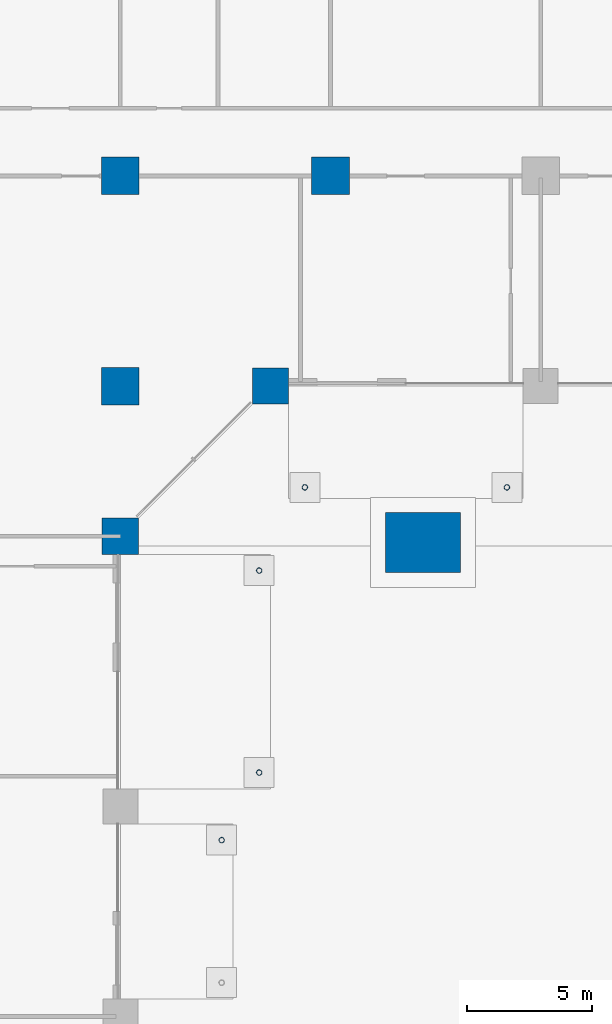
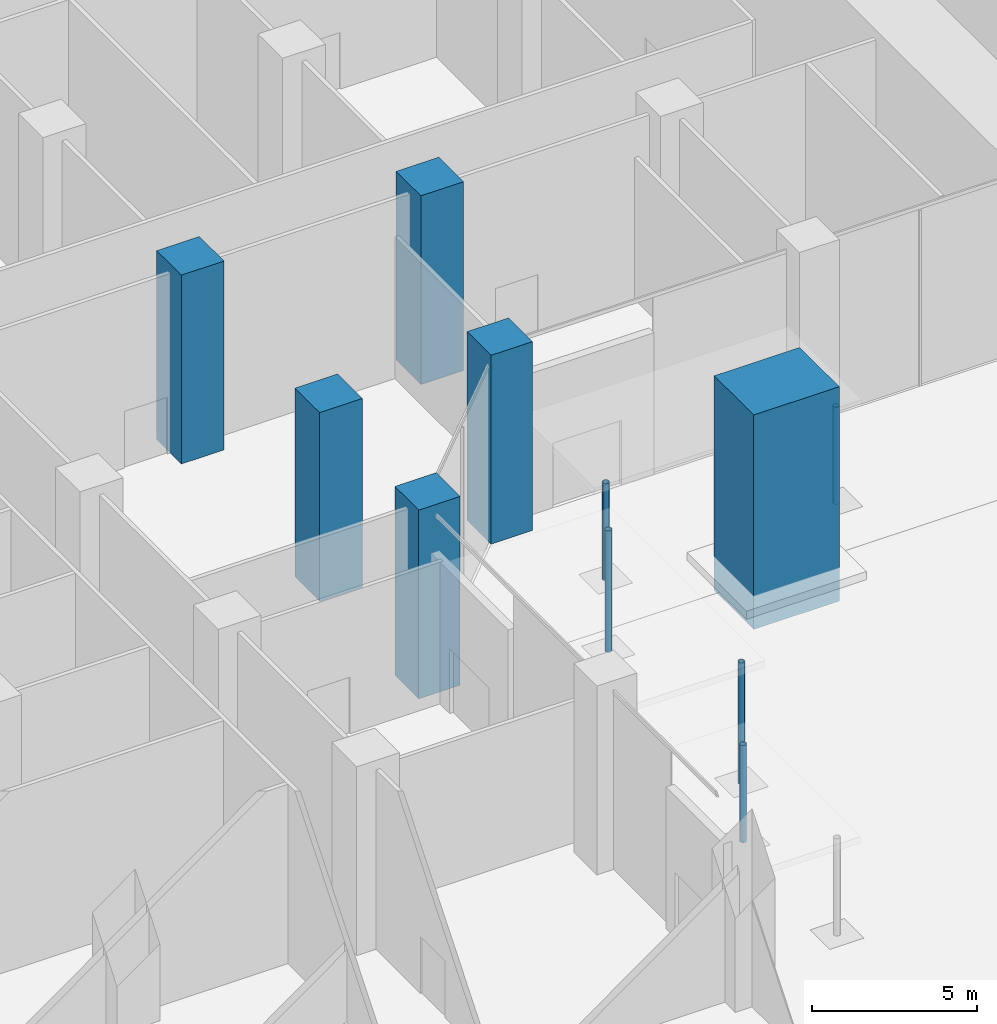
# One storey, part 6 of 32: 11 columns.
"""IFC4 building model written with IfcOpenShell, lengths in metres."""

from ifc_helpers import new_model, si_unit, direction, frame, origin, origin_2d, place, context, subcontext, project, spatial, rectangle, hollow_circle, extrude, material, material_profile, profile_set, type_object, element, save


model = new_model("IFC4")

# Units and contexts
model_context = context("Model", 3, precision=1e-05, world=origin(), true_north=direction((0.0, 1.0)))
body_context = subcontext(model_context, "Body", "Model", "MODEL_VIEW")
ifc_project = project(units=[si_unit("LENGTHUNIT", "METRE"), si_unit("AREAUNIT", "SQUARE_METRE"), si_unit("VOLUMEUNIT", "CUBIC_METRE"), si_unit("PLANEANGLEUNIT", "RADIAN"), si_unit("MASSUNIT", "GRAM", prefix="KILO")], contexts=[model_context])

# Site, building, storey
site_placement = place(None, origin())
site = spatial("IfcSite", under=ifc_project, at=site_placement, CompositionType="ELEMENT")
building_placement = place(site_placement, origin())
building = spatial("IfcBuilding", under=site, at=building_placement, Name="Kawkab Arch Medical Tower", CompositionType="ELEMENT")
storey_placement = place(building_placement, origin())
storey = spatial("IfcBuildingStorey", under=building, at=storey_placement, Name="L01", CompositionType="ELEMENT", Elevation=0.0)

# Columns
ifc_material_1 = material(Name="Steel S355", Category="steel")
ifc_material_profile_1 = material_profile(ifc_material_1, hollow_circle(Radius=0.109619140625, WallThickness=0.010009765625, at=origin_2d()), Name="CHS 219.1x10")
ifc_profile_set_1 = profile_set([ifc_material_profile_1], Name="Steel S355")
column_type_1 = type_object("IfcColumnType", Name="Canopy column CHS 219.1x10", PredefinedType="COLUMN", material=ifc_profile_set_1)
for number, where, z_axis, x_axis, name in (
    (1, (40.97509765625, -37.64990234375, 0.0), (0.0, 0.0, 1.0), (1.0, 0.0, 0.0), "Canopy, main entrance, diagnostic block column 1"),
    (2, (49.050048828125, -37.64990234375, 0.0), (0.0, 0.0, 1.0), (1.0, 0.0, 0.0), "Canopy, main entrance, diagnostic block column 2"),
):
    element("IfcColumn", number, at=place(storey_placement, frame(where, z_axis=z_axis, x_axis=x_axis)), inside=storey, type_object=column_type_1, Name=name, PredefinedType="COLUMN", context=body_context, shape_type="SweptSolid", body=[
        extrude(hollow_circle(Radius=0.109619140625, WallThickness=0.010009765625, at=origin_2d()), origin(), (0.0, 0.0, 1.0), 3.60009765625),
    ])
for number, where, z_axis, x_axis, name in (
    (3, (39.14990234375, -49.050048828125, 0.0), (0.0, 0.0, 1.0), (1.0, 0.0, 0.0), "Canopy, emergency department ambulance entrance column 1"),
    (4, (39.14990234375, -40.97509765625, 0.0), (0.0, 0.0, 1.0), (1.0, 0.0, 0.0), "Canopy, emergency department ambulance entrance column 2"),
):
    element("IfcColumn", number, at=place(storey_placement, frame(where, z_axis=z_axis, x_axis=x_axis)), inside=storey, type_object=column_type_1, Name=name, PredefinedType="COLUMN", context=body_context, shape_type="SweptSolid", body=[
        extrude(hollow_circle(Radius=0.109619140625, WallThickness=0.010009765625, at=origin_2d()), origin(), (0.0, 0.0, 1.0), 4.5),
    ])
column_1_placement = place(storey_placement, frame((37.64990234375, -51.75, 0.0), z_axis=(0.0, 0.0, 1.0), x_axis=(1.0, 0.0, 0.0)))
element("IfcColumn", 5, at=column_1_placement, inside=storey, type_object=column_type_1, Name="Canopy, emergency department walk-in entrance column 2", PredefinedType="COLUMN", context=body_context, shape_type="SweptSolid", body=[
    extrude(hollow_circle(Radius=0.109619140625, WallThickness=0.010009765625, at=origin_2d()), origin(), (0.0, 0.0, 1.0), 3.60009765625),
])
ifc_material_2 = material(Name="Concrete C60/75", Category="concrete")
ifc_material_profile_2 = material_profile(ifc_material_2, rectangle(XDim=1.449951171875, YDim=1.449951171875, at=origin_2d()), Name="RC 1450x1450")
ifc_profile_set_2 = profile_set([ifc_material_profile_2], Name="Concrete C60/75")
column_type_2 = type_object("IfcColumnType", Name="RC 1450x1450 column C60/75", PredefinedType="COLUMN", material=ifc_profile_set_2)
for number, where, z_axis, x_axis, name in (
    (6, (39.60009765625, -33.60009765625, 0.0), (0.0, 0.0, 1.0), (1.0, 0.0, 0.0), "Column RC 1450x1450"),
    (7, (33.60009765625, -39.60009765625, 0.0), (0.0, 0.0, 1.0), (1.0, 0.0, 0.0), "Column RC 1450x1450"),
):
    element("IfcColumn", number, at=place(storey_placement, frame(where, z_axis=z_axis, x_axis=x_axis)), inside=storey, type_object=column_type_2, Name=name, PredefinedType="COLUMN", context=body_context, shape_type="SweptSolid", body=[
        extrude(rectangle(XDim=1.449951171875, YDim=1.449951171875, at=origin_2d()), origin(), (0.0, 0.0, 1.0), 7.0),
    ])
ifc_material_3 = material(Name="Concrete C60/75", Category="concrete")
ifc_material_profile_3 = material_profile(ifc_material_3, rectangle(XDim=1.5, YDim=1.5, at=origin_2d()), Name="RC 1500x1500")
ifc_profile_set_3 = profile_set([ifc_material_profile_3], Name="Concrete C60/75")
column_type_3 = type_object("IfcColumnType", Name="RC 1500x1500 column C60/75", PredefinedType="COLUMN", material=ifc_profile_set_3)
for number, where, z_axis, x_axis, name in (
    (8, (33.60009765625, -25.199951171875, 0.0), (0.0, 0.0, 1.0), (1.0, 0.0, 0.0), "Column RC 1500x1500"),
    (9, (42.0, -25.199951171875, 0.0), (0.0, 0.0, 1.0), (1.0, 0.0, 0.0), "Column RC 1500x1500"),
    (10, (33.60009765625, -33.60009765625, 0.0), (0.0, 0.0, 1.0), (1.0, 0.0, 0.0), "Column RC 1500x1500"),
):
    element("IfcColumn", number, at=place(storey_placement, frame(where, z_axis=z_axis, x_axis=x_axis)), inside=storey, type_object=column_type_3, Name=name, PredefinedType="COLUMN", context=body_context, shape_type="SweptSolid", body=[
        extrude(rectangle(XDim=1.5, YDim=1.5, at=origin_2d()), origin(), (0.0, 0.0, 1.0), 7.0),
    ])
ifc_material_4 = material(Name="Concrete C60/75", Category="concrete")
ifc_material_profile_4 = material_profile(ifc_material_4, rectangle(XDim=3.0, YDim=2.39990234375, at=origin_2d()), Name="RC 3000x2400")
ifc_profile_set_4 = profile_set([ifc_material_profile_4], Name="Concrete C60/75")
column_type_4 = type_object("IfcColumnType", Name="RC 3000x2400 column C60/75", PredefinedType="COLUMN", material=ifc_profile_set_4)
column_2_placement = place(storey_placement, frame((45.699951171875, -39.85009765625, -0.949951171875), z_axis=(0.0, 0.0, 1.0), x_axis=(1.0, 0.0, 0.0)))
element("IfcColumn", 11, at=column_2_placement, inside=storey, type_object=column_type_4, Name="Portal arch leg", PredefinedType="COLUMN", context=body_context, shape_type="SweptSolid", body=[
    extrude(rectangle(XDim=3.0, YDim=2.39990234375, at=origin_2d()), origin(), (0.0, 0.0, 1.0), 7.949951171875),
])

save(model, "model.ifc")
